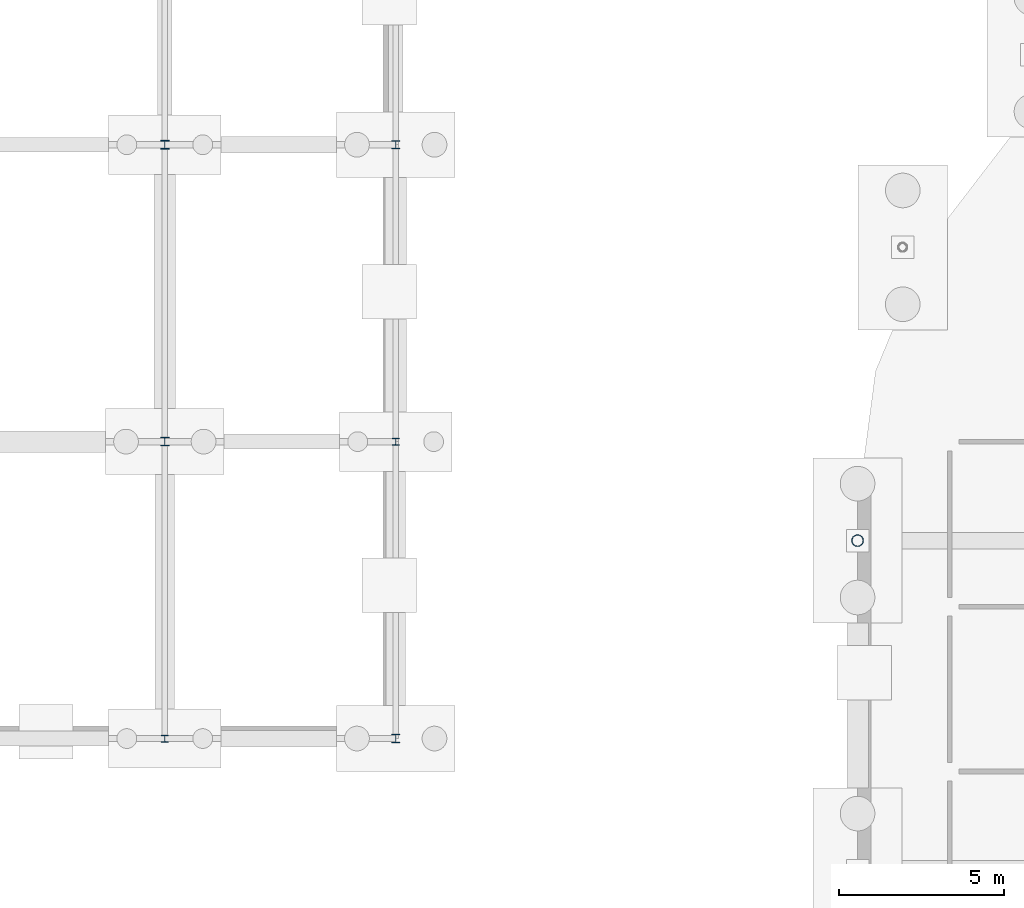
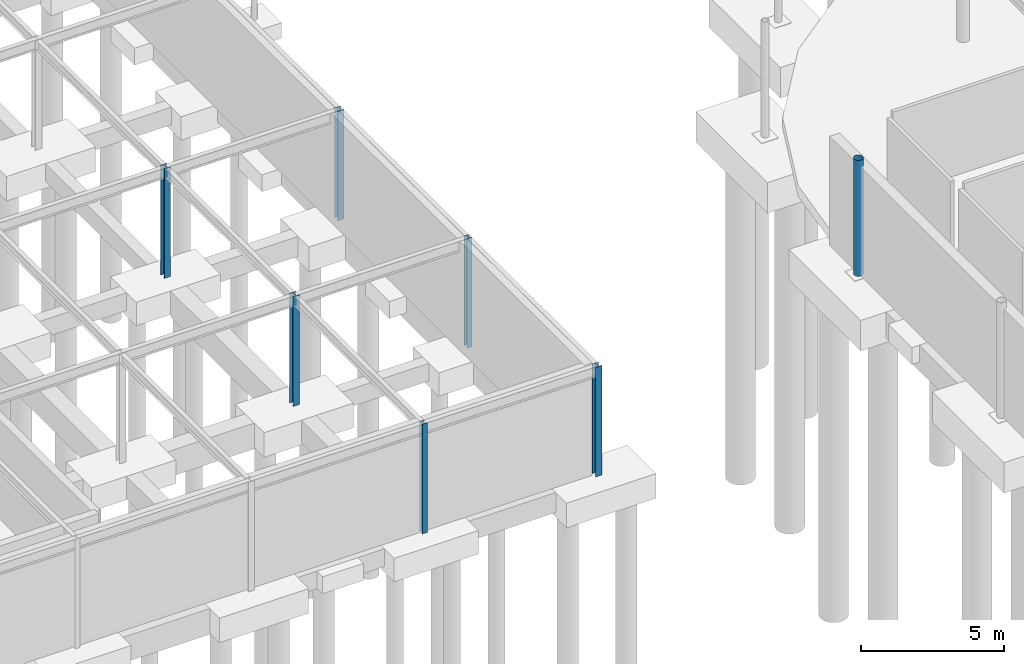
# One storey, part 16 of 75: 7 columns.
"""IFC4 building model written with IfcOpenShell, lengths in metres."""

from ifc_helpers import new_model, si_unit, derived_unit, direction, frame, origin, origin_2d_with_axis, place, context, subcontext, project, spatial, hollow_circle, i_section, extrude, material, material_profile, profile_set, type_object, element, save


model = new_model("IFC4")

# Units and contexts
model_context = context("Model", 3, precision=1e-05, world=origin(), true_north=direction((0.0, 1.0)))
body_context = subcontext(model_context, "Body", "Model", "MODEL_VIEW")
ifc_project = project(units=[si_unit("LENGTHUNIT", "METRE"), si_unit("AREAUNIT", "SQUARE_METRE"), si_unit("VOLUMEUNIT", "CUBIC_METRE"), si_unit("PLANEANGLEUNIT", "RADIAN"), si_unit("MASSUNIT", "GRAM", prefix="KILO"), derived_unit("THERMALTRANSMITTANCEUNIT", [(si_unit("POWERUNIT", "WATT"), 1), (si_unit("LENGTHUNIT", "METRE"), -2), (si_unit("THERMODYNAMICTEMPERATUREUNIT", "KELVIN"), -1)])], contexts=[model_context])

# Site, building, storey
site_placement = place(None, origin())
site = spatial("IfcSite", under=ifc_project, at=site_placement, CompositionType="ELEMENT")
building_placement = place(site_placement, origin())
building = spatial("IfcBuilding", under=site, at=building_placement, Name="Cinnabar Yard Market Hall", CompositionType="ELEMENT")
storey_placement = place(building_placement, frame((0.0, 0.0, -4.5)))
storey = spatial("IfcBuildingStorey", under=building, at=storey_placement, Name="B1", CompositionType="ELEMENT", Elevation=-4.5)

# Columns
ifc_material_1 = material(Name="Spotted-gum glulam-clad steel Grade 350 (350 MPa)", Category="steel")
ifc_material_profile_1 = material_profile(ifc_material_1, hollow_circle(Radius=0.177734375, WallThickness=0.0126953125, at=origin_2d_with_axis()), Name="355.6x12.7CHS")
ifc_profile_set_1 = profile_set([ifc_material_profile_1], Name="Spotted-gum glulam-clad steel Grade 350 (350 MPa)")
column_type_1 = type_object("IfcColumnType", Name="COL-C02", PredefinedType="COLUMN", material=ifc_profile_set_1)
column_placement = place(storey_placement, frame((66.0, 54.0, -0.449951171875), z_axis=(0.0, 0.0, 1.0), x_axis=(1.0, 0.0, 0.0)))
element("IfcColumn", 1, at=column_placement, inside=storey, type_object=column_type_1, Name="Tree Column V1W-03 B1", PredefinedType="COLUMN", context=body_context, shape_type="SweptSolid", body=[
    extrude(hollow_circle(Radius=0.177734375, WallThickness=0.0126953125, at=origin_2d_with_axis()), origin(), (0.0, 0.0, 1.0), 4.949951171875),
])
ifc_material_2 = material(Name="Steel Grade 300 (300 MPa)", Category="steel")
ifc_material_profile_2 = material_profile(ifc_material_2, i_section(OverallWidth=0.256103515625, OverallDepth=0.260009765625, WebThickness=0.010498046875, FlangeThickness=0.017333984375, FilletRadius=0.013916015625, at=origin_2d_with_axis()), Name="250UC89.5")
ifc_profile_set_2 = profile_set([ifc_material_profile_2], Name="Steel Grade 300 (300 MPa)")
column_type_2 = type_object("IfcColumnType", Name="COL-C10", PredefinedType="COLUMN", material=ifc_profile_set_2)
for number, where, z_axis, x_axis, name in (
    (2, (45.0, 57.0, -0.449951171875), (0.0, 0.0, 1.0), (1.0, 0.0, 0.0), "Pavilion Pier V2-06-02 B1"),
    (3, (45.0, 66.0, -0.449951171875), (0.0, 0.0, 1.0), (1.0, 0.0, 0.0), "Pavilion Pier V2-06-03 B1"),
):
    element("IfcColumn", number, at=place(storey_placement, frame(where, z_axis=z_axis, x_axis=x_axis)), inside=storey, type_object=column_type_2, Name=name, PredefinedType="COLUMN", context=body_context, shape_type="SweptSolid", body=[
        extrude(i_section(OverallWidth=0.256103515625, OverallDepth=0.260009765625, WebThickness=0.010498046875, FlangeThickness=0.017333984375, FilletRadius=0.013916015625, at=origin_2d_with_axis()), origin(), (0.0, 0.0, 1.0), 4.669921875),
    ])
ifc_material_profile_3 = material_profile(ifc_material_2, i_section(OverallWidth=0.25390625, OverallDepth=0.25390625, WebThickness=0.008544921875, FlangeThickness=0.01416015625, FilletRadius=0.013916015625, at=origin_2d_with_axis()), Name="250UC72.9")
ifc_profile_set_3 = profile_set([ifc_material_profile_3], Name="Steel Grade 300 (300 MPa)")
column_type_3 = type_object("IfcColumnType", Name="COL-C11", PredefinedType="COLUMN", material=ifc_profile_set_3)
for number, where, z_axis, x_axis, name in (
    (4, (52.0, 48.0, -0.449951171875), (0.0, 0.0, 1.0), (1.0, 0.0, 0.0), "Pavilion Pier V2-07-01 B1"),
    (5, (52.0, 66.0, -0.449951171875), (0.0, 0.0, 1.0), (1.0, 0.0, 0.0), "Pavilion Pier V2-07-03 B1"),
):
    element("IfcColumn", number, at=place(storey_placement, frame(where, z_axis=z_axis, x_axis=x_axis)), inside=storey, type_object=column_type_3, Name=name, PredefinedType="COLUMN", context=body_context, shape_type="SweptSolid", body=[
        extrude(i_section(OverallWidth=0.25390625, OverallDepth=0.25390625, WebThickness=0.008544921875, FlangeThickness=0.01416015625, FilletRadius=0.013916015625, at=origin_2d_with_axis()), origin(), (0.0, 0.0, 1.0), 4.669921875),
    ])
ifc_material_profile_4 = material_profile(ifc_material_2, i_section(OverallWidth=0.205078125, OverallDepth=0.209716796875, WebThickness=0.00927734375, FlangeThickness=0.01416015625, FilletRadius=0.011474609375, at=origin_2d_with_axis()), Name="200UC59.5")
ifc_profile_set_4 = profile_set([ifc_material_profile_4], Name="Steel Grade 300 (300 MPa)")
column_type_4 = type_object("IfcColumnType", Name="COL-C12", PredefinedType="COLUMN", material=ifc_profile_set_4)
for number, where, z_axis, x_axis, name in (
    (6, (45.0, 48.0, -0.449951171875), (0.0, 0.0, 1.0), (1.0, 0.0, 0.0), "Pavilion Pier V2-06-01 B1"),
    (7, (52.0, 57.0, -0.449951171875), (0.0, 0.0, 1.0), (1.0, 0.0, 0.0), "Pavilion Pier V2-07-02 B1"),
):
    element("IfcColumn", number, at=place(storey_placement, frame(where, z_axis=z_axis, x_axis=x_axis)), inside=storey, type_object=column_type_4, Name=name, PredefinedType="COLUMN", context=body_context, shape_type="SweptSolid", body=[
        extrude(i_section(OverallWidth=0.205078125, OverallDepth=0.209716796875, WebThickness=0.00927734375, FlangeThickness=0.01416015625, FilletRadius=0.011474609375, at=origin_2d_with_axis()), origin(), (0.0, 0.0, 1.0), 4.669921875),
    ])

save(model, "model.ifc")
